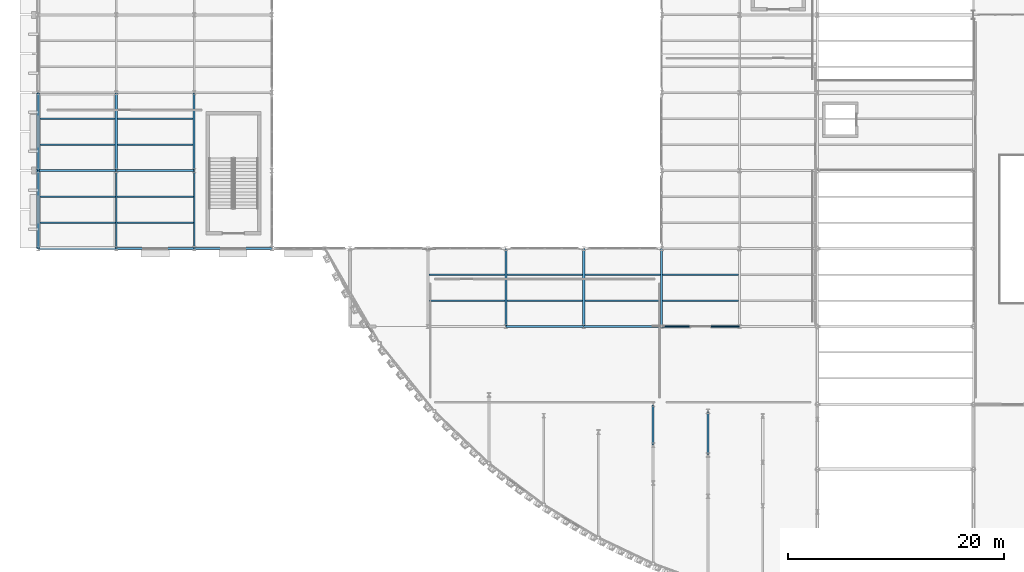
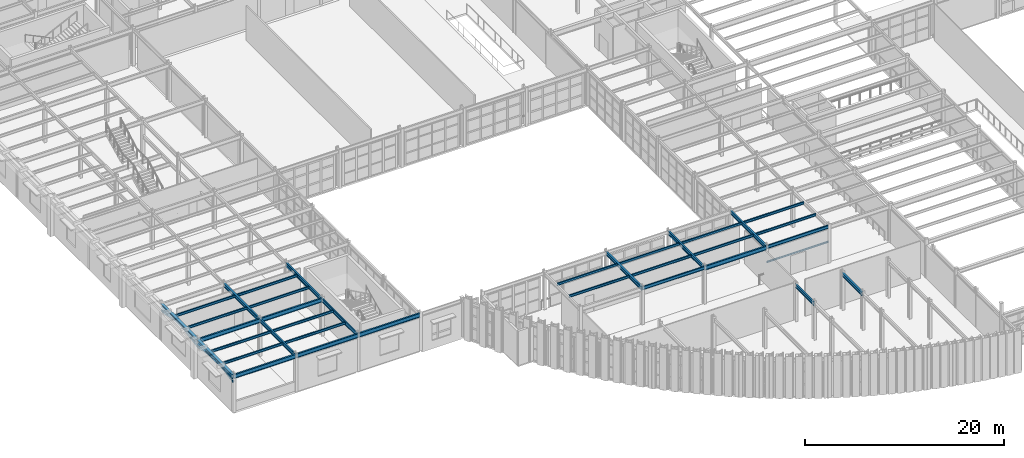
# One storey, part 24 of 126: 36 beams, 4 members.
"""IFC4 building model written with IfcOpenShell, lengths in metres."""

import ifcopenshell
import ifcopenshell.guid

model = None  # the IFC model being written
_history = None  # IfcOwnerHistory: only IFC2X3 demands one
_inside = {}  # id of a spatial element -> (the spatial element, [elements in it])
_under = {}  # id of a project, library or spatial element -> (it, [spatial elements below it])
_declared = {}  # id of a project -> (the project, [libraries it declares])
_typed = {}  # id of a type object -> (the type object, [elements of that type])
_made_of = {}  # id of a material, layer set ... -> (it, [elements and type objects made of it])


def new_model(schema):
    """Start an empty IFC model of exactly this schema.

    Asked for "IFC4X3", IfcOpenShell would pick the latest addendum, in which some entities
    have other attributes; the version numbers below select the first issue.
    IFC2X3 requires an IfcOwnerHistory on every rooted entity: one is made here for all.
    """
    global model, _history
    if schema == "IFC4X3":
        model = ifcopenshell.file(schema_version=(4, 3, 0, 0))
    else:
        model = ifcopenshell.file(schema=schema)
    _inside.clear()
    _under.clear()
    _declared.clear()
    _typed.clear()
    _made_of.clear()
    _history = None
    if model.schema == "IFC2X3":
        org = make("IfcOrganization", Name="unknown")
        user = make(
            "IfcPersonAndOrganization",
            ThePerson=make("IfcPerson", FamilyName="unknown"),
            TheOrganization=org,
        )
        app = make(
            "IfcApplication",
            ApplicationDeveloper=org,
            Version="unknown",
            ApplicationFullName="unknown",
            ApplicationIdentifier="unknown",
        )
        _history = make(
            "IfcOwnerHistory",
            OwningUser=user,
            OwningApplication=app,
            ChangeAction="ADDED",
            CreationDate=0,
        )
    return model


def make(cls, **values):
    """One entity of the class cls with the attributes given. An attribute that is None is left unset."""
    return model.create_entity(
        cls, **{name: value for name, value in values.items() if value is not None}
    )


def rooted(cls, **values):
    """An entity with a GlobalId (a new one), such as an element, a storey or a relation."""
    return make(cls, GlobalId=ifcopenshell.guid.new(), OwnerHistory=_history, **values)


def si_unit(unit_type, name, prefix=None):
    """IfcSIUnit, for example si_unit("LENGTHUNIT", "METRE", prefix="MILLI")."""
    return make("IfcSIUnit", UnitType=unit_type, Prefix=prefix, Name=name)


def assignment(units):
    """IfcUnitAssignment: the units of a project."""
    return None if units is None else make("IfcUnitAssignment", Units=units)


def point(xyz):
    """IfcCartesianPoint."""
    return None if xyz is None else make("IfcCartesianPoint", Coordinates=xyz)


def direction(xyz):
    """IfcDirection."""
    return None if xyz is None else make("IfcDirection", DirectionRatios=xyz)


def frame(location, z_axis=None, x_axis=None):
    """IfcAxis2Placement3D, a coordinate frame: its origin and axes. An axis left out is left unset."""
    return make(
        "IfcAxis2Placement3D",
        Location=point(location),
        Axis=direction(z_axis),
        RefDirection=direction(x_axis),
    )


def frame_2d(location, x_axis=None):
    """IfcAxis2Placement2D, a coordinate frame in the plane: its origin and x axis."""
    return make(
        "IfcAxis2Placement2D", Location=point(location), RefDirection=direction(x_axis)
    )


def origin():
    """The frame at (0, 0, 0) with its axes left unset."""
    return frame((0.0, 0.0, 0.0))


def origin_2d():
    """The frame at (0, 0) in the plane with its x axis left unset."""
    return frame_2d((0.0, 0.0))


def place(relative_to, where):
    """IfcLocalPlacement: puts the frame where relative to a parent placement (None: the world)."""
    return make(
        "IfcLocalPlacement", PlacementRelTo=relative_to, RelativePlacement=where
    )


def context(
    kind, dimensions, precision=None, world=None, true_north=None, identifier=None
):
    """IfcGeometricRepresentationContext, for example the 3D "Model" context."""
    return make(
        "IfcGeometricRepresentationContext",
        ContextIdentifier=identifier,
        ContextType=kind,
        CoordinateSpaceDimension=dimensions,
        Precision=precision,
        WorldCoordinateSystem=world,
        TrueNorth=true_north,
    )


def subcontext(parent, identifier, kind, view, scale=None):
    """IfcGeometricRepresentationSubContext, for example "Body" below "Model"."""
    return make(
        "IfcGeometricRepresentationSubContext",
        ContextIdentifier=identifier,
        ContextType=kind,
        ParentContext=parent,
        TargetScale=scale,
        TargetView=view,
    )


def project(units=None, contexts=None):
    """IfcProject with its units and contexts."""
    return rooted(
        "IfcProject",
        Name="project",
        RepresentationContexts=contexts,
        UnitsInContext=assignment(units),
    )


def spatial(cls, under=None, at=None, **own):
    """A site, building, storey or space (cls), placed at a placement, below another one or the project."""
    s = rooted(cls, ObjectPlacement=at, **own)
    if under is not None:
        _under.setdefault(under.id(), (under, []))[1].append(s)
    return s


def profile(cls, at=None, kind="AREA", **sizes):
    """A parametric profile (cls). Its sizes go by their IFC names, for example OverallWidth=200.0."""
    return make(cls, ProfileType=kind, Position=at, **sizes)


def hollow_rectangle(**sizes):
    """IfcRectangleHollowProfileDef."""
    return profile("IfcRectangleHollowProfileDef", **sizes)


def i_section(**sizes):
    """IfcIShapeProfileDef."""
    return profile("IfcIShapeProfileDef", **sizes)


def extrude(swept, where, along, depth):
    """IfcExtrudedAreaSolid: the profile swept, set in the frame where, extruded along a direction by depth."""
    return make(
        "IfcExtrudedAreaSolid",
        SweptArea=swept,
        Position=where,
        ExtrudedDirection=direction(along),
        Depth=depth,
    )


def shape(context_of_items, identifier, shape_type, items):
    """IfcShapeRepresentation: the items that make up one representation, for example the "Body"."""
    return make(
        "IfcShapeRepresentation",
        ContextOfItems=context_of_items,
        RepresentationIdentifier=identifier,
        RepresentationType=shape_type,
        Items=items,
    )


def material(Name=None, Category=None):
    """IfcMaterial."""
    return make("IfcMaterial", Name=Name, Category=Category)


def material_profile(
    of_material, cross_section, Name=None, Category=None, Priority=None
):
    """IfcMaterialProfile: a cross section and its material."""
    return make(
        "IfcMaterialProfile",
        Name=Name,
        Material=of_material,
        Profile=cross_section,
        Priority=Priority,
        Category=Category,
    )


def profile_set(profiles, Name=None, composite=None):
    """IfcMaterialProfileSet."""
    return make(
        "IfcMaterialProfileSet",
        Name=Name,
        MaterialProfiles=profiles,
        CompositeProfile=composite,
    )


def made_of(thing, what):
    """Note that an element or type object is made of a material, layer set ...; save() writes the relation."""
    if what is not None:
        _made_of.setdefault(what.id(), (what, []))[1].append(thing)
    return thing


def type_object(cls, material=None, **own):
    """A type object (cls), such as IfcWallType, which elements share."""
    return made_of(rooted(cls, **own), material)


def element(
    cls,
    number,
    at=None,
    inside=None,
    cuts=None,
    type_object=None,
    material=None,
    context=None,
    identifier="Body",
    shape_type=None,
    held_by="IfcProductDefinitionShape",
    body=None,
    shapes=None,
    **own,
):
    """One element of the class cls, such as IfcWall. Its Tag is "e" and its number.

    at: its placement. inside: the storey or other place that contains it. cuts: it is an
    opening in that element (IfcRelVoidsElement). A single representation is given by context,
    identifier, shape_type and body (its items); several are given by shapes. held_by: the class
    of the entity that holds the representations. save() writes the other relations.
    """
    e = rooted(cls, Tag="e%d" % number, ObjectPlacement=at, **own)
    if body is not None:
        shapes = [shape(context, identifier, shape_type, body)]
    if shapes is not None:
        e.Representation = make(held_by, Representations=shapes)
    if inside is not None:
        _inside.setdefault(inside.id(), (inside, []))[1].append(e)
    if cuts is not None:
        rooted(
            "IfcRelVoidsElement", RelatingBuildingElement=cuts, RelatedOpeningElement=e
        )
    if type_object is not None:
        _typed.setdefault(type_object.id(), (type_object, []))[1].append(e)
    return made_of(e, material)


def aggregate(whole, parts):
    """IfcRelAggregates: a whole, such as a stair, and the parts it consists of."""
    return rooted("IfcRelAggregates", RelatingObject=whole, RelatedObjects=parts)


def save(model, path):
    """Write the relations noted so far, then the file.

    IfcRelAggregates (storeys below a building ...), IfcRelContainedInSpatialStructure (elements
    in a storey), IfcRelDefinesByType, IfcRelAssociatesMaterial and IfcRelDeclares: one each for
    every whole, place, type object, material and project.
    """
    for whole, parts in _under.values():
        aggregate(whole, parts)
    for where, things in _inside.values():
        rooted(
            "IfcRelContainedInSpatialStructure",
            RelatedElements=things,
            RelatingStructure=where,
        )
    for kind, things in _typed.values():
        rooted("IfcRelDefinesByType", RelatedObjects=things, RelatingType=kind)
    for what, things in _made_of.values():
        rooted("IfcRelAssociatesMaterial", RelatedObjects=things, RelatingMaterial=what)
    for by, libraries in _declared.values():
        rooted("IfcRelDeclares", RelatingContext=by, RelatedDefinitions=libraries)
    model.write(path)


model = new_model("IFC4")

# Units and contexts
model_context = context("Model", 3, precision=1e-05, world=origin(), true_north=direction((0.0, 1.0)))
body_context = subcontext(model_context, "Body", "Model", "MODEL_VIEW")
ifc_project = project(units=[si_unit("LENGTHUNIT", "METRE"), si_unit("AREAUNIT", "SQUARE_METRE"), si_unit("VOLUMEUNIT", "CUBIC_METRE"), si_unit("PLANEANGLEUNIT", "RADIAN"), si_unit("MASSUNIT", "GRAM", prefix="KILO")], contexts=[model_context])

# Site, building, storey
site_placement = place(None, origin())
site = spatial("IfcSite", under=ifc_project, at=site_placement, CompositionType="ELEMENT")
building_placement = place(site_placement, origin())
building = spatial("IfcBuilding", under=site, at=building_placement, Name="Solvadek Multi-Sports Hall", CompositionType="ELEMENT")
storey_placement = place(building_placement, frame((0.0, 0.0, 9.60009765625)))
storey = spatial("IfcBuildingStorey", under=building, at=storey_placement, Name="L02", CompositionType="ELEMENT", Elevation=9.60009765625)

# Members
ifc_material_1 = material(Name="Steel E350 (350 MPa)", Category="steel")
ifc_material_profile_1 = material_profile(ifc_material_1, hollow_rectangle(XDim=0.14990234375, YDim=0.25, WallThickness=0.010009765625, at=origin_2d()), Name="RHS 250x150x10")
ifc_profile_set_1 = profile_set([ifc_material_profile_1], Name="Steel E350 (350 MPa)")
member_type = type_object("IfcMemberType", Name="STR-ARC-RHS250", PredefinedType="USERDEFINED", material=ifc_profile_set_1)
for number, where, z_axis, x_axis, name in (
    (1, (0.0, 20.39990234375, 3.64990234375), (0.0, 0.983123357379, 0.182943882588), (-1.0, 0.0, 0.0), "L02 West Facade Pointed Ottoman Arch 1L"),
    (2, (0.0, 24.0, 4.31982421875), (0.0, 0.983123357379, -0.182943882588), (-1.0, 0.0, 0.0), "L02 West Facade Pointed Ottoman Arch 1R"),
):
    element("IfcMember", number, at=place(storey_placement, frame(where, z_axis=z_axis, x_axis=x_axis)), inside=storey, type_object=member_type, Name=name, ObjectType="ARCH_SEGMENT", PredefinedType="USERDEFINED", context=body_context, shape_type="SweptSolid", body=[
        extrude(hollow_rectangle(XDim=0.14990234375, YDim=0.25, WallThickness=0.010009765625, at=origin_2d()), origin(), (0.0, 0.0, 1.0), 3.661865234375),
    ])
member_1_placement = place(storey_placement, frame((0.0, 27.60009765625, 3.64990234375), z_axis=(0.0, 0.9831211258, 0.182955874479), x_axis=(-1.0, 0.0, 0.0)))
element("IfcMember", 3, at=member_1_placement, inside=storey, type_object=member_type, Name="L02 West Facade Pointed Ottoman Arch 2L", ObjectType="ARCH_SEGMENT", PredefinedType="USERDEFINED", context=body_context, shape_type="SweptSolid", body=[
    extrude(hollow_rectangle(XDim=0.14990234375, YDim=0.25, WallThickness=0.010009765625, at=origin_2d()), origin(), (0.0, 0.0, 1.0), 3.66162109375),
])
member_2_placement = place(storey_placement, frame((0.0, 31.199951171875, 4.31982421875), z_axis=(0.0, 0.983123357379, -0.182943882588), x_axis=(-1.0, 0.0, 0.0)))
element("IfcMember", 4, at=member_2_placement, inside=storey, type_object=member_type, Name="L02 West Facade Pointed Ottoman Arch 2R", ObjectType="ARCH_SEGMENT", PredefinedType="USERDEFINED", context=body_context, shape_type="SweptSolid", body=[
    extrude(hollow_rectangle(XDim=0.14990234375, YDim=0.25, WallThickness=0.010009765625, at=origin_2d()), origin(), (0.0, 0.0, 1.0), 3.661865234375),
])

# Beams
ifc_material_profile_2 = material_profile(ifc_material_1, i_section(OverallWidth=0.139892578125, OverallDepth=0.39990234375, WebThickness=0.0087890625, FlangeThickness=0.01611328125, at=origin_2d()), Name="ISMB 400")
ifc_profile_set_2 = profile_set([ifc_material_profile_2], Name="Steel E350 (350 MPa)")
beam_type_1 = type_object("IfcBeamType", Name="STR-BM-ISMB400", PredefinedType="BEAM", material=ifc_profile_set_2)
for number, where, z_axis, x_axis, name in (
    (5, (43.199951171875, 13.199951171875, 4.35986328125), (1.0, 0.0, 0.0), (0.0, 1.0, 0.0), "L02 Girder B-10 #1321"),
    (6, (57.60009765625, 13.199951171875, 4.35986328125), (1.0, 0.0, 0.0), (0.0, 1.0, 0.0), "L02 Girder B-10 #1323"),
):
    element("IfcBeam", number, at=place(storey_placement, frame(where, z_axis=z_axis, x_axis=x_axis)), inside=storey, type_object=beam_type_1, Name=name, PredefinedType="BEAM", context=body_context, shape_type="SweptSolid", body=[
        extrude(i_section(OverallWidth=0.139892578125, OverallDepth=0.39990234375, WebThickness=0.0087890625, FlangeThickness=0.01611328125, at=origin_2d()), origin(), (0.0, 0.0, 1.0), 7.199951171875),
    ])
ifc_material_profile_3 = material_profile(ifc_material_1, i_section(OverallWidth=0.14990234375, OverallDepth=0.449951171875, WebThickness=0.009521484375, FlangeThickness=0.017333984375, at=origin_2d()), Name="ISMB 450")
ifc_profile_set_3 = profile_set([ifc_material_profile_3], Name="Steel E350 (350 MPa)")
beam_type_2 = type_object("IfcBeamType", Name="STR-BM-ISMB450", PredefinedType="BEAM", material=ifc_profile_set_3)
for number, where, z_axis, x_axis, name in (
    (7, (7.199951171875, 20.39990234375, 4.3349609375), (0.0, 1.0, 0.0), (-1.0, 0.0, 0.0), "L02 Girder B-09 #1463"),
    (8, (14.39990234375, 20.39990234375, 4.3349609375), (0.0, 1.0, 0.0), (-1.0, 0.0, 0.0), "L02 Girder B-09 #1475"),
):
    element("IfcBeam", number, at=place(storey_placement, frame(where, z_axis=z_axis, x_axis=x_axis)), inside=storey, type_object=beam_type_2, Name=name, PredefinedType="BEAM", context=body_context, shape_type="SweptSolid", body=[
        extrude(i_section(OverallWidth=0.14990234375, OverallDepth=0.449951171875, WebThickness=0.009521484375, FlangeThickness=0.017333984375, at=origin_2d()), origin(), (0.0, 0.0, 1.0), 7.2001953125),
    ])
ifc_material_profile_4 = material_profile(ifc_material_1, i_section(OverallWidth=0.179931640625, OverallDepth=0.5, WebThickness=0.01025390625, FlangeThickness=0.01708984375, at=origin_2d()), Name="ISMB 500")
ifc_profile_set_4 = profile_set([ifc_material_profile_4], Name="Steel E350 (350 MPa)")
beam_type_3 = type_object("IfcBeamType", Name="STR-BM-ISMB500", PredefinedType="BEAM", material=ifc_profile_set_4)
beam_1_placement = place(storey_placement, frame((50.39990234375, 13.199951171875, 4.309814453125), z_axis=(1.0, 0.0, 0.0), x_axis=(0.0, 1.0, 0.0)))
element("IfcBeam", 9, at=beam_1_placement, inside=storey, type_object=beam_type_3, Name="L02 Girder B-07 #1322", PredefinedType="BEAM", context=body_context, shape_type="SweptSolid", body=[
    extrude(i_section(OverallWidth=0.179931640625, OverallDepth=0.5, WebThickness=0.01025390625, FlangeThickness=0.01708984375, at=origin_2d()), origin(), (0.0, 0.0, 1.0), 7.2001953125),
])
for number, where, z_axis, x_axis, name in (
    (10, (0.0, 20.39990234375, 4.309814453125), (1.0, 0.0, 0.0), (0.0, 1.0, 0.0), "L02 Girder B-07 #1326"),
    (11, (7.199951171875, 20.39990234375, 4.309814453125), (1.0, 0.0, 0.0), (0.0, 1.0, 0.0), "L02 Girder B-07 #1327"),
):
    element("IfcBeam", number, at=place(storey_placement, frame(where, z_axis=z_axis, x_axis=x_axis)), inside=storey, type_object=beam_type_3, Name=name, PredefinedType="BEAM", context=body_context, shape_type="SweptSolid", body=[
        extrude(i_section(OverallWidth=0.179931640625, OverallDepth=0.5, WebThickness=0.01025390625, FlangeThickness=0.01708984375, at=origin_2d()), origin(), (0.0, 0.0, 1.0), 7.199951171875),
    ])
beam_2_placement = place(storey_placement, frame((14.39990234375, 20.39990234375, 4.309814453125), z_axis=(1.0, 0.0, 0.0), x_axis=(0.0, 1.0, 0.0)))
element("IfcBeam", 12, at=beam_2_placement, inside=storey, type_object=beam_type_3, Name="L02 Girder B-07 #1328", PredefinedType="BEAM", context=body_context, shape_type="SweptSolid", body=[
    extrude(i_section(OverallWidth=0.179931640625, OverallDepth=0.5, WebThickness=0.01025390625, FlangeThickness=0.01708984375, at=origin_2d()), origin(), (0.0, 0.0, 1.0), 7.2001953125),
])
for number, where, z_axis, x_axis, name in (
    (13, (0.0, 27.60009765625, 4.309814453125), (1.0, 0.0, 0.0), (0.0, 1.0, 0.0), "L02 Girder B-07 #1337"),
    (14, (7.199951171875, 27.60009765625, 4.309814453125), (1.0, 0.0, 0.0), (0.0, 1.0, 0.0), "L02 Girder B-07 #1338"),
):
    element("IfcBeam", number, at=place(storey_placement, frame(where, z_axis=z_axis, x_axis=x_axis)), inside=storey, type_object=beam_type_3, Name=name, PredefinedType="BEAM", context=body_context, shape_type="SweptSolid", body=[
        extrude(i_section(OverallWidth=0.179931640625, OverallDepth=0.5, WebThickness=0.01025390625, FlangeThickness=0.01708984375, at=origin_2d()), origin(), (0.0, 0.0, 1.0), 7.199951171875),
    ])
ifc_material_profile_5 = material_profile(ifc_material_1, i_section(OverallWidth=0.18994140625, OverallDepth=0.449951171875, WebThickness=0.009521484375, FlangeThickness=0.0146484375, at=origin_2d()), Name="NPB 450")
ifc_profile_set_5 = profile_set([ifc_material_profile_5], Name="Steel E350 (350 MPa)")
beam_type_4 = type_object("IfcBeamType", Name="STR-BM-NPB450", PredefinedType="BEAM", material=ifc_profile_set_5)
for number, where, z_axis, x_axis, name in (
    (15, (7.199951171875, 27.60009765625, 4.3349609375), (0.0, 1.0, 0.0), (-1.0, 0.0, 0.0), "L02 Girder B-08 #1464"),
    (16, (14.39990234375, 27.60009765625, 4.3349609375), (0.0, 1.0, 0.0), (-1.0, 0.0, 0.0), "L02 Girder B-08 #1476"),
    (17, (43.199951171875, 13.199951171875, 4.3349609375), (0.0, 1.0, 0.0), (-1.0, 0.0, 0.0), "L02 Girder B-08 #1508"),
    (18, (50.39990234375, 13.199951171875, 4.3349609375), (0.0, 1.0, 0.0), (-1.0, 0.0, 0.0), "L02 Girder B-08 #1514"),
):
    element("IfcBeam", number, at=place(storey_placement, frame(where, z_axis=z_axis, x_axis=x_axis)), inside=storey, type_object=beam_type_4, Name=name, PredefinedType="BEAM", context=body_context, shape_type="SweptSolid", body=[
        extrude(i_section(OverallWidth=0.18994140625, OverallDepth=0.449951171875, WebThickness=0.009521484375, FlangeThickness=0.0146484375, at=origin_2d()), origin(), (0.0, 0.0, 1.0), 7.199951171875),
    ])
beam_3_placement = place(storey_placement, frame((56.818115234375, 2.23779296875, 4.3349609375), z_axis=(0.0, 1.0, 0.0), x_axis=(-1.0, 0.0, 0.0)))
element("IfcBeam", 19, at=beam_3_placement, inside=storey, type_object=beam_type_4, Name="L02 Girder B-08 #1522", PredefinedType="BEAM", context=body_context, shape_type="SweptSolid", body=[
    extrude(i_section(OverallWidth=0.18994140625, OverallDepth=0.449951171875, WebThickness=0.009521484375, FlangeThickness=0.0146484375, at=origin_2d()), origin(), (0.0, 0.0, 1.0), 3.727294921875),
])
beam_4_placement = place(storey_placement, frame((57.60009765625, 13.199951171875, 4.3349609375), z_axis=(0.0, 1.0, 0.0), x_axis=(-1.0, 0.0, 0.0)))
element("IfcBeam", 20, at=beam_4_placement, inside=storey, type_object=beam_type_4, Name="L02 Girder B-08 #1523", PredefinedType="BEAM", context=body_context, shape_type="SweptSolid", body=[
    extrude(i_section(OverallWidth=0.18994140625, OverallDepth=0.449951171875, WebThickness=0.009521484375, FlangeThickness=0.0146484375, at=origin_2d()), origin(), (0.0, 0.0, 1.0), 7.199951171875),
])
beam_5_placement = place(storey_placement, frame((61.87890625, 1.318603515625, 4.3349609375), z_axis=(0.0, 1.0, 0.0), x_axis=(-1.0, 0.0, 0.0)))
element("IfcBeam", 21, at=beam_5_placement, inside=storey, type_object=beam_type_4, Name="L02 Girder B-08 #1538", PredefinedType="BEAM", context=body_context, shape_type="SweptSolid", body=[
    extrude(i_section(OverallWidth=0.18994140625, OverallDepth=0.449951171875, WebThickness=0.009521484375, FlangeThickness=0.0146484375, at=origin_2d()), origin(), (0.0, 0.0, 1.0), 4.039794921875),
])
ifc_material_profile_6 = material_profile(ifc_material_1, i_section(OverallWidth=0.139892578125, OverallDepth=0.300048828125, WebThickness=0.0078125, FlangeThickness=0.01318359375, at=origin_2d()), Name="ISMB 300")
ifc_profile_set_6 = profile_set([ifc_material_profile_6], Name="Steel E350 (350 MPa)")
beam_type_5 = type_object("IfcBeamType", Name="STR-JST-ISMB300", PredefinedType="JOIST", material=ifc_profile_set_6)
for number, where, z_axis, x_axis, name in (
    (22, (36.094970703125, 15.60009765625, 4.409912109375), (1.0, 0.0, 0.0), (0.0, 1.0, 0.0), "L02 Composite Joist J-03 #761"),
    (23, (36.094970703125, 18.0, 4.409912109375), (1.0, 0.0, 0.0), (0.0, 1.0, 0.0), "L02 Composite Joist J-03 #762"),
    (24, (43.294921875, 15.60009765625, 4.409912109375), (1.0, 0.0, 0.0), (0.0, 1.0, 0.0), "L02 Composite Joist J-03 #763"),
    (25, (43.294921875, 18.0, 4.409912109375), (1.0, 0.0, 0.0), (0.0, 1.0, 0.0), "L02 Composite Joist J-03 #764"),
):
    element("IfcBeam", number, at=place(storey_placement, frame(where, z_axis=z_axis, x_axis=x_axis)), inside=storey, type_object=beam_type_5, Name=name, PredefinedType="JOIST", context=body_context, shape_type="SweptSolid", body=[
        extrude(i_section(OverallWidth=0.139892578125, OverallDepth=0.300048828125, WebThickness=0.0078125, FlangeThickness=0.01318359375, at=origin_2d()), origin(), (0.0, 0.0, 1.0), 7.010009765625),
    ])
for number, where, z_axis, x_axis, name in (
    (26, (50.4951171875, 15.60009765625, 4.409912109375), (1.0, 0.0, 0.0), (0.0, 1.0, 0.0), "L02 Composite Joist J-03 #765"),
    (27, (50.4951171875, 18.0, 4.409912109375), (1.0, 0.0, 0.0), (0.0, 1.0, 0.0), "L02 Composite Joist J-03 #766"),
):
    element("IfcBeam", number, at=place(storey_placement, frame(where, z_axis=z_axis, x_axis=x_axis)), inside=storey, type_object=beam_type_5, Name=name, PredefinedType="JOIST", context=body_context, shape_type="SweptSolid", body=[
        extrude(i_section(OverallWidth=0.139892578125, OverallDepth=0.300048828125, WebThickness=0.0078125, FlangeThickness=0.01318359375, at=origin_2d()), origin(), (0.0, 0.0, 1.0), 7.009765625),
    ])
for number, where, z_axis, x_axis, name in (
    (28, (57.695068359375, 15.60009765625, 4.409912109375), (1.0, 0.0, 0.0), (0.0, 1.0, 0.0), "L02 Composite Joist J-03 #767"),
    (29, (57.695068359375, 18.0, 4.409912109375), (1.0, 0.0, 0.0), (0.0, 1.0, 0.0), "L02 Composite Joist J-03 #768"),
):
    element("IfcBeam", number, at=place(storey_placement, frame(where, z_axis=z_axis, x_axis=x_axis)), inside=storey, type_object=beam_type_5, Name=name, PredefinedType="JOIST", context=body_context, shape_type="SweptSolid", body=[
        extrude(i_section(OverallWidth=0.139892578125, OverallDepth=0.300048828125, WebThickness=0.0078125, FlangeThickness=0.01318359375, at=origin_2d()), origin(), (0.0, 0.0, 1.0), 7.010009765625),
    ])
for number, where, z_axis, x_axis, name in (
    (30, (0.14990234375, 22.800048828125, 4.409912109375), (1.0, 0.0, 0.0), (0.0, 1.0, 0.0), "L02 Composite Joist J-03 #773"),
    (31, (0.14990234375, 25.199951171875, 4.409912109375), (1.0, 0.0, 0.0), (0.0, 1.0, 0.0), "L02 Composite Joist J-03 #774"),
):
    element("IfcBeam", number, at=place(storey_placement, frame(where, z_axis=z_axis, x_axis=x_axis)), inside=storey, type_object=beam_type_5, Name=name, PredefinedType="JOIST", context=body_context, shape_type="SweptSolid", body=[
        extrude(i_section(OverallWidth=0.139892578125, OverallDepth=0.300048828125, WebThickness=0.0078125, FlangeThickness=0.01318359375, at=origin_2d()), origin(), (0.0, 0.0, 1.0), 6.97509765625),
    ])
for number, where, z_axis, x_axis, name in (
    (32, (7.27490234375, 22.800048828125, 4.409912109375), (1.0, 0.0, 0.0), (0.0, 1.0, 0.0), "L02 Composite Joist J-03 #775"),
    (33, (7.27490234375, 25.199951171875, 4.409912109375), (1.0, 0.0, 0.0), (0.0, 1.0, 0.0), "L02 Composite Joist J-03 #776"),
):
    element("IfcBeam", number, at=place(storey_placement, frame(where, z_axis=z_axis, x_axis=x_axis)), inside=storey, type_object=beam_type_5, Name=name, PredefinedType="JOIST", context=body_context, shape_type="SweptSolid", body=[
        extrude(i_section(OverallWidth=0.139892578125, OverallDepth=0.300048828125, WebThickness=0.0078125, FlangeThickness=0.01318359375, at=origin_2d()), origin(), (0.0, 0.0, 1.0), 7.050048828125),
    ])
for number, where, z_axis, x_axis, name in (
    (34, (0.14990234375, 30.0, 4.409912109375), (1.0, 0.0, 0.0), (0.0, 1.0, 0.0), "L02 Composite Joist J-03 #783"),
    (35, (0.14990234375, 32.39990234375, 4.409912109375), (1.0, 0.0, 0.0), (0.0, 1.0, 0.0), "L02 Composite Joist J-03 #784"),
):
    element("IfcBeam", number, at=place(storey_placement, frame(where, z_axis=z_axis, x_axis=x_axis)), inside=storey, type_object=beam_type_5, Name=name, PredefinedType="JOIST", context=body_context, shape_type="SweptSolid", body=[
        extrude(i_section(OverallWidth=0.139892578125, OverallDepth=0.300048828125, WebThickness=0.0078125, FlangeThickness=0.01318359375, at=origin_2d()), origin(), (0.0, 0.0, 1.0), 6.955078125),
    ])
for number, where, z_axis, x_axis, name in (
    (36, (7.294921875, 30.0, 4.409912109375), (1.0, 0.0, 0.0), (0.0, 1.0, 0.0), "L02 Composite Joist J-03 #785"),
    (37, (7.294921875, 32.39990234375, 4.409912109375), (1.0, 0.0, 0.0), (0.0, 1.0, 0.0), "L02 Composite Joist J-03 #786"),
):
    element("IfcBeam", number, at=place(storey_placement, frame(where, z_axis=z_axis, x_axis=x_axis)), inside=storey, type_object=beam_type_5, Name=name, PredefinedType="JOIST", context=body_context, shape_type="SweptSolid", body=[
        extrude(i_section(OverallWidth=0.139892578125, OverallDepth=0.300048828125, WebThickness=0.0078125, FlangeThickness=0.01318359375, at=origin_2d()), origin(), (0.0, 0.0, 1.0), 7.010009765625),
    ])
ifc_material_2 = material(Name="Steel E250 (250 MPa)", Category="steel")
ifc_material_profile_7 = material_profile(ifc_material_2, i_section(OverallWidth=0.10009765625, OverallDepth=0.199951171875, WebThickness=0.005615234375, FlangeThickness=0.0107421875, at=origin_2d()), Name="ISMB 200")
ifc_profile_set_7 = profile_set([ifc_material_profile_7], Name="Steel E250 (250 MPa)")
beam_type_6 = type_object("IfcBeamType", Name="STR-LIN-ISMB200", PredefinedType="LINTEL", material=ifc_profile_set_7)
beam_6_placement = place(storey_placement, frame((57.60009765625, 13.199951171875, 2.52001953125), z_axis=(1.0, 0.0, 0.0), x_axis=(0.0, 1.0, 0.0)))
element("IfcBeam", 38, at=beam_6_placement, inside=storey, type_object=beam_type_6, Name="L02 Opening Lintel #24", PredefinedType="LINTEL", context=body_context, shape_type="SweptSolid", body=[
    extrude(i_section(OverallWidth=0.10009765625, OverallDepth=0.199951171875, WebThickness=0.005615234375, FlangeThickness=0.0107421875, at=origin_2d()), origin(), (0.0, 0.0, 1.0), 7.199951171875),
])
ifc_material_profile_8 = material_profile(ifc_material_1, i_section(OverallWidth=0.300048828125, OverallDepth=0.39990234375, WebThickness=0.013427734375, FlangeThickness=0.02392578125, at=origin_2d()), Name="WPB 400")
ifc_profile_set_8 = profile_set([ifc_material_profile_8], Name="Steel E350 (350 MPa)")
beam_type_7 = type_object("IfcBeamType", Name="STR-SPN-WPB400", PredefinedType="SPANDREL", material=ifc_profile_set_8)
beam_7_placement = place(storey_placement, frame((0.0, 27.60009765625, 4.35986328125), z_axis=(0.0, 1.0, 0.0), x_axis=(-1.0, 0.0, 0.0)))
element("IfcBeam", 39, at=beam_7_placement, inside=storey, type_object=beam_type_7, Name="L02 Girder SP-02 #1452", PredefinedType="SPANDREL", context=body_context, shape_type="SweptSolid", body=[
    extrude(i_section(OverallWidth=0.300048828125, OverallDepth=0.39990234375, WebThickness=0.013427734375, FlangeThickness=0.02392578125, at=origin_2d()), origin(), (0.0, 0.0, 1.0), 7.199951171875),
])
ifc_material_profile_9 = material_profile(ifc_material_1, i_section(OverallWidth=0.300048828125, OverallDepth=0.5, WebThickness=0.014404296875, FlangeThickness=0.028076171875, at=origin_2d()), Name="WPB 500")
ifc_profile_set_9 = profile_set([ifc_material_profile_9], Name="Steel E350 (350 MPa)")
beam_type_8 = type_object("IfcBeamType", Name="STR-SPN-WPB500", PredefinedType="SPANDREL", material=ifc_profile_set_9)
beam_8_placement = place(storey_placement, frame((0.0, 20.39990234375, 4.309814453125), z_axis=(0.0, 1.0, 0.0), x_axis=(-1.0, 0.0, 0.0)))
element("IfcBeam", 40, at=beam_8_placement, inside=storey, type_object=beam_type_8, Name="L02 Girder SP-01 #1451", PredefinedType="SPANDREL", context=body_context, shape_type="SweptSolid", body=[
    extrude(i_section(OverallWidth=0.300048828125, OverallDepth=0.5, WebThickness=0.014404296875, FlangeThickness=0.028076171875, at=origin_2d()), origin(), (0.0, 0.0, 1.0), 7.2001953125),
])

save(model, "model.ifc")
